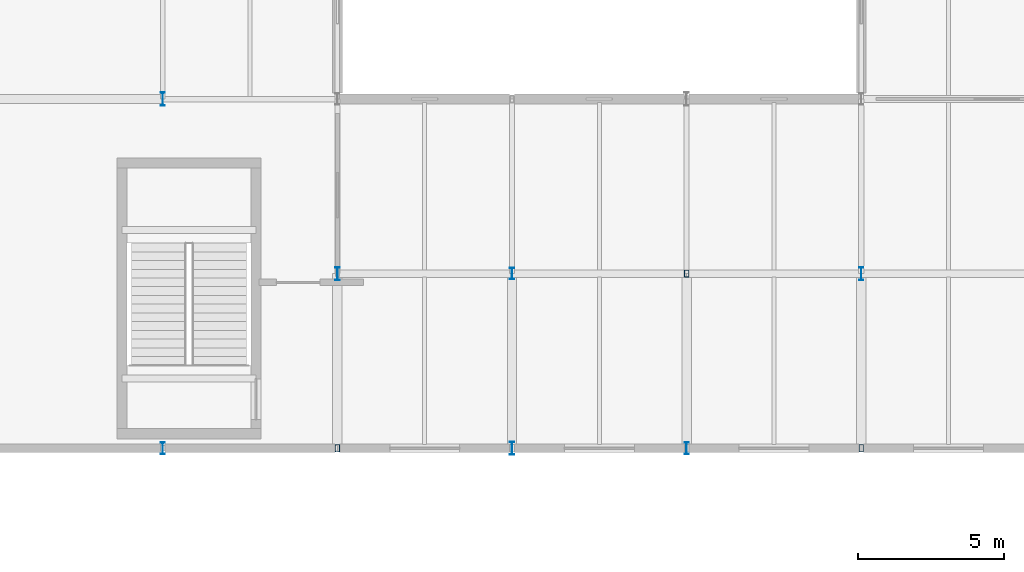
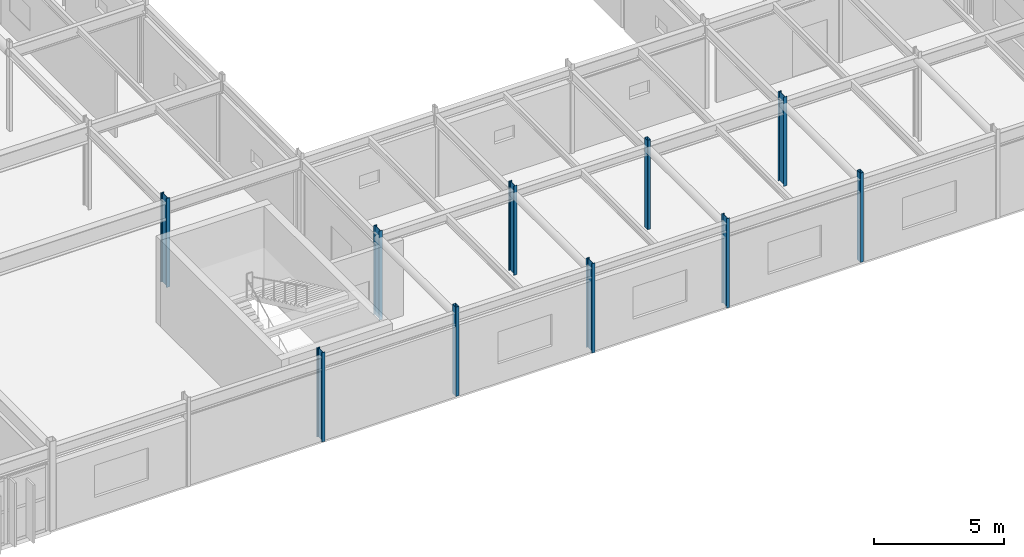
# One storey, part 17 of 116: 10 columns.
"""IFC4 building model written with IfcOpenShell, lengths in metres."""

from ifc_helpers import new_model, si_unit, direction, frame, origin, origin_2d, place, context, subcontext, project, spatial, hollow_rectangle, i_section, extrude, material, material_profile, profile_set, type_object, element, save


model = new_model("IFC4")

# Units and contexts
model_context = context("Model", 3, precision=1e-05, world=origin(), true_north=direction((0.0, 1.0)))
body_context = subcontext(model_context, "Body", "Model", "MODEL_VIEW")
ifc_project = project(units=[si_unit("LENGTHUNIT", "METRE"), si_unit("AREAUNIT", "SQUARE_METRE"), si_unit("VOLUMEUNIT", "CUBIC_METRE"), si_unit("PLANEANGLEUNIT", "RADIAN"), si_unit("MASSUNIT", "GRAM", prefix="KILO")], contexts=[model_context])

# Site, building, storey
site_placement = place(None, origin())
site = spatial("IfcSite", under=ifc_project, at=site_placement, CompositionType="ELEMENT")
building_placement = place(site_placement, origin())
building = spatial("IfcBuilding", under=site, at=building_placement, Name="Varnakota Square Police Headquarters", CompositionType="ELEMENT")
storey_placement = place(building_placement, frame((0.0, 0.0, 9.300048828125)))
storey = spatial("IfcBuildingStorey", under=building, at=storey_placement, Name="L02", CompositionType="ELEMENT", Elevation=9.300048828125)

# Columns
ifc_material = material(Name="Steel IS 2062 Grade 350", Category="steel")
ifc_material_profile_1 = material_profile(ifc_material, i_section(OverallWidth=0.139892578125, OverallDepth=0.39990234375, WebThickness=0.0087890625, FlangeThickness=0.01611328125, FilletRadius=0.013916015625, at=origin_2d()), Name="ISMB 400")
ifc_profile_set_1 = profile_set([ifc_material_profile_1], Name="Steel IS 2062 Grade 350")
column_type_1 = type_object("IfcColumnType", Name="COL-ISMB400", PredefinedType="COLUMN", material=ifc_profile_set_1)
for number, where, z_axis, x_axis, name in (
    (1, (108.0, 69.0, 0.0), (0.0, 0.0, 1.0), (1.0, 0.0, 0.0), "Column X1080-Y0690 L02"),
    (2, (120.0, 75.0, 0.0), (0.0, 0.0, 1.0), (1.0, 0.0, 0.0), "Column X1200-Y0750 L02"),
    (3, (126.0, 69.0, 0.0), (0.0, 0.0, 1.0), (1.0, 0.0, 0.0), "Column X1260-Y0690 L02"),
):
    element("IfcColumn", number, at=place(storey_placement, frame(where, z_axis=z_axis, x_axis=x_axis)), inside=storey, type_object=column_type_1, Name=name, PredefinedType="COLUMN", context=body_context, shape_type="SweptSolid", body=[
        extrude(i_section(OverallWidth=0.139892578125, OverallDepth=0.39990234375, WebThickness=0.0087890625, FlangeThickness=0.01611328125, FilletRadius=0.013916015625, at=origin_2d()), origin(), (0.0, 0.0, 1.0), 4.199951171875),
    ])
ifc_material_profile_2 = material_profile(ifc_material, i_section(OverallWidth=0.14990234375, OverallDepth=0.449951171875, WebThickness=0.009521484375, FlangeThickness=0.017333984375, FilletRadius=0.014892578125, at=origin_2d()), Name="ISMB 450")
ifc_profile_set_2 = profile_set([ifc_material_profile_2], Name="Steel IS 2062 Grade 350")
column_type_2 = type_object("IfcColumnType", Name="COL-ISMB450", PredefinedType="COLUMN", material=ifc_profile_set_2)
for number, where, z_axis, x_axis, name in (
    (4, (108.0, 81.0, 0.0), (0.0, 0.0, 1.0), (1.0, 0.0, 0.0), "Column X1080-Y0810 L02"),
    (5, (114.0, 75.0, 0.0), (0.0, 0.0, 1.0), (1.0, 0.0, 0.0), "Column X1140-Y0750 L02"),
    (6, (120.0, 69.0, 0.0), (0.0, 0.0, 1.0), (1.0, 0.0, 0.0), "Column X1200-Y0690 L02"),
    (7, (132.0, 75.0, 0.0), (0.0, 0.0, 1.0), (1.0, 0.0, 0.0), "Column X1320-Y0750 L02"),
):
    element("IfcColumn", number, at=place(storey_placement, frame(where, z_axis=z_axis, x_axis=x_axis)), inside=storey, type_object=column_type_2, Name=name, PredefinedType="COLUMN", context=body_context, shape_type="SweptSolid", body=[
        extrude(i_section(OverallWidth=0.14990234375, OverallDepth=0.449951171875, WebThickness=0.009521484375, FlangeThickness=0.017333984375, FilletRadius=0.014892578125, at=origin_2d()), origin(), (0.0, 0.0, 1.0), 4.199951171875),
    ])
ifc_material_profile_3 = material_profile(ifc_material, hollow_rectangle(XDim=0.14990234375, YDim=0.25, WallThickness=0.010009765625, InnerFilletRadius=0.010009765625, OuterFilletRadius=0.02001953125, at=origin_2d()), Name="RHS 250x150x10")
ifc_profile_set_3 = profile_set([ifc_material_profile_3], Name="Steel IS 2062 Grade 350")
column_type_3 = type_object("IfcColumnType", Name="COL-RHS250", PredefinedType="COLUMN", material=ifc_profile_set_3)
for number, where, z_axis, x_axis, name in (
    (8, (114.0, 69.0, 0.0), (0.0, 0.0, 1.0), (1.0, 0.0, 0.0), "Column X1140-Y0690 L02"),
    (9, (126.0, 75.0, 0.0), (0.0, 0.0, 1.0), (1.0, 0.0, 0.0), "Column X1260-Y0750 L02"),
    (10, (132.0, 69.0, 0.0), (0.0, 0.0, 1.0), (1.0, 0.0, 0.0), "Column X1320-Y0690 L02"),
):
    element("IfcColumn", number, at=place(storey_placement, frame(where, z_axis=z_axis, x_axis=x_axis)), inside=storey, type_object=column_type_3, Name=name, PredefinedType="COLUMN", context=body_context, shape_type="SweptSolid", body=[
        extrude(hollow_rectangle(XDim=0.14990234375, YDim=0.25, WallThickness=0.010009765625, InnerFilletRadius=0.010009765625, OuterFilletRadius=0.02001953125, at=origin_2d()), origin(), (0.0, 0.0, 1.0), 4.199951171875),
    ])

save(model, "model.ifc")
